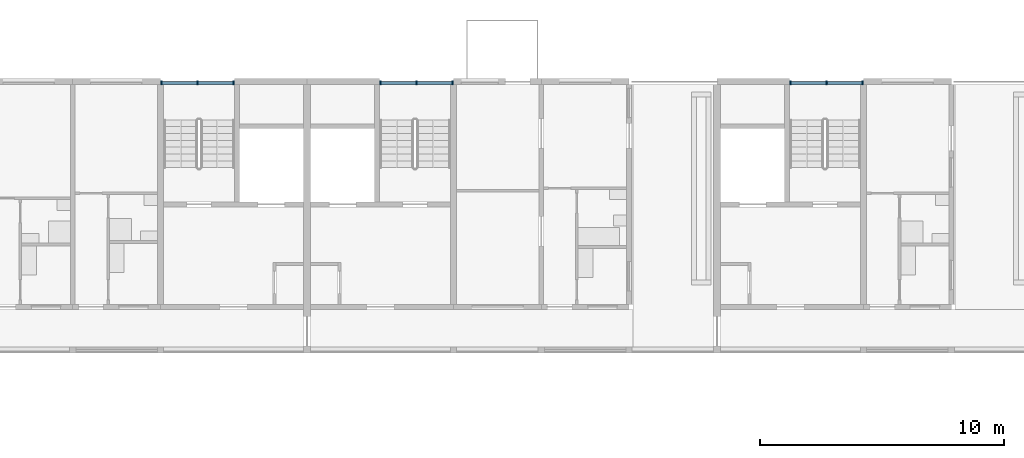
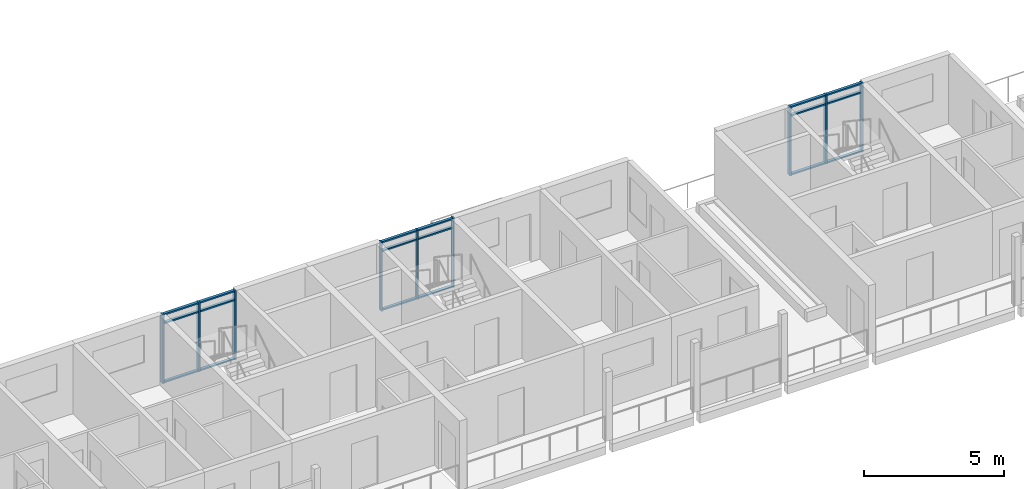
# One storey, part 13 of 94: 27 members, 3 elements without a shape of their own.
"""IFC4 building model written with IfcOpenShell, lengths in metres."""

from ifc_helpers import new_model, si_unit, direction, frame, origin, origin_2d, place, context, subcontext, project, spatial, rectangle, extrude, material, material_profile, profile_set, type_object, element, aggregate, save


model = new_model("IFC4")

# Units and contexts
model_context = context("Model", 3, precision=1e-05, world=origin(), true_north=direction((0.0, 1.0)))
body_context = subcontext(model_context, "Body", "Model", "MODEL_VIEW")
ifc_project = project(units=[si_unit("LENGTHUNIT", "METRE"), si_unit("AREAUNIT", "SQUARE_METRE"), si_unit("VOLUMEUNIT", "CUBIC_METRE"), si_unit("PLANEANGLEUNIT", "RADIAN"), si_unit("MASSUNIT", "GRAM", prefix="KILO")], contexts=[model_context])

# Site, building, storey
site_placement = place(None, origin())
site = spatial("IfcSite", under=ifc_project, at=site_placement, CompositionType="ELEMENT")
building_placement = place(site_placement, origin())
building = spatial("IfcBuilding", under=site, at=building_placement, Name="Ridgestep Commons", CompositionType="ELEMENT")
storey_placement = place(building_placement, frame((0.0, 0.0, 21.0)))
storey = spatial("IfcBuildingStorey", under=building, at=storey_placement, Name="L07", CompositionType="ELEMENT", Elevation=21.0)

# Curtain wall, members
ifc_material_1 = material(Name="Aluminium 6063-T6 and glass", Category="aluminium")
curtain_wall_type = type_object("IfcCurtainWallType", Name="Curtain wall stair strip", PredefinedType="NOTDEFINED", material=ifc_material_1)
curtain_wall_1_placement = place(storey_placement, origin())
curtain_wall_1 = element("IfcCurtainWall", 1, at=curtain_wall_1_placement, inside=storey, type_object=curtain_wall_type, Name="Curtain wall B4C level 07", PredefinedType="NOTDEFINED")
ifc_material_2 = material(Name="Aluminium 6063-T6", Category="aluminium")
ifc_material_profile_1 = material_profile(ifc_material_2, rectangle(XDim=0.159912109375, YDim=0.06005859375, at=origin_2d()), Name="Mullion 60 x 160")
ifc_profile_set_1 = profile_set([ifc_material_profile_1], Name="Aluminium 6063-T6")
member_type_1 = type_object("IfcMemberType", Name="Mullion 60 x 160", PredefinedType="MULLION", material=ifc_profile_set_1)
member_1_placement = place(storey_placement, frame((73.22998046875, 77.080078125, 0.0), z_axis=(0.0, 0.0, 1.0), x_axis=(0.0, 1.0, 0.0)))
member_1 = element("IfcMember", 2, at=member_1_placement, type_object=member_type_1, Name="CW1 mullion 1", PredefinedType="MULLION", context=body_context, shape_type="SweptSolid", body=[
    extrude(rectangle(XDim=0.159912109375, YDim=0.06005859375, at=origin_2d()), origin(), (0.0, 0.0, 1.0), 3.0),
])
member_2_placement = place(storey_placement, frame((74.71240234375, 77.080078125, 0.0), z_axis=(0.0, 0.0, 1.0), x_axis=(0.0, 1.0, 0.0)))
member_2 = element("IfcMember", 3, at=member_2_placement, type_object=member_type_1, Name="CW1 mullion 2", PredefinedType="MULLION", context=body_context, shape_type="SweptSolid", body=[
    extrude(rectangle(XDim=0.159912109375, YDim=0.06005859375, at=origin_2d()), origin(), (0.0, 0.0, 1.0), 3.0),
])
member_3_placement = place(storey_placement, frame((76.195068359375, 77.080078125, 0.0), z_axis=(0.0, 0.0, 1.0), x_axis=(0.0, 1.0, 0.0)))
member_3 = element("IfcMember", 4, at=member_3_placement, type_object=member_type_1, Name="CW1 mullion 3", PredefinedType="MULLION", context=body_context, shape_type="SweptSolid", body=[
    extrude(rectangle(XDim=0.159912109375, YDim=0.06005859375, at=origin_2d()), origin(), (0.0, 0.0, 1.0), 3.0),
])

curtain_wall_2_placement = place(storey_placement, origin())
curtain_wall_2 = element("IfcCurtainWall", 5, at=curtain_wall_2_placement, inside=storey, type_object=curtain_wall_type, Name="Curtain wall B5C level 07", PredefinedType="NOTDEFINED")
member_4_placement = place(storey_placement, frame((82.205078125, 77.080078125, 0.0), z_axis=(0.0, 0.0, 1.0), x_axis=(0.0, 1.0, 0.0)))
member_4 = element("IfcMember", 6, at=member_4_placement, type_object=member_type_1, Name="CW1 mullion 1", PredefinedType="MULLION", context=body_context, shape_type="SweptSolid", body=[
    extrude(rectangle(XDim=0.159912109375, YDim=0.06005859375, at=origin_2d()), origin(), (0.0, 0.0, 1.0), 3.0),
])
member_5_placement = place(storey_placement, frame((83.6875, 77.080078125, 0.0), z_axis=(0.0, 0.0, 1.0), x_axis=(0.0, 1.0, 0.0)))
member_5 = element("IfcMember", 7, at=member_5_placement, type_object=member_type_1, Name="CW1 mullion 2", PredefinedType="MULLION", context=body_context, shape_type="SweptSolid", body=[
    extrude(rectangle(XDim=0.159912109375, YDim=0.06005859375, at=origin_2d()), origin(), (0.0, 0.0, 1.0), 3.0),
])
member_6_placement = place(storey_placement, frame((85.169921875, 77.080078125, 0.0), z_axis=(0.0, 0.0, 1.0), x_axis=(0.0, 1.0, 0.0)))
member_6 = element("IfcMember", 8, at=member_6_placement, type_object=member_type_1, Name="CW1 mullion 3", PredefinedType="MULLION", context=body_context, shape_type="SweptSolid", body=[
    extrude(rectangle(XDim=0.159912109375, YDim=0.06005859375, at=origin_2d()), origin(), (0.0, 0.0, 1.0), 3.0),
])

curtain_wall_3_placement = place(storey_placement, origin())
curtain_wall_3 = element("IfcCurtainWall", 9, at=curtain_wall_3_placement, inside=storey, type_object=curtain_wall_type, Name="Curtain wall B6C level 07", PredefinedType="NOTDEFINED")
member_7_placement = place(storey_placement, frame((99.0048828125, 77.080078125, 0.0), z_axis=(0.0, 0.0, 1.0), x_axis=(0.0, 1.0, 0.0)))
member_7 = element("IfcMember", 10, at=member_7_placement, type_object=member_type_1, Name="CW1 mullion 1", PredefinedType="MULLION", context=body_context, shape_type="SweptSolid", body=[
    extrude(rectangle(XDim=0.159912109375, YDim=0.06005859375, at=origin_2d()), origin(), (0.0, 0.0, 1.0), 3.0),
])
member_8_placement = place(storey_placement, frame((100.487548828125, 77.080078125, 0.0), z_axis=(0.0, 0.0, 1.0), x_axis=(0.0, 1.0, 0.0)))
member_8 = element("IfcMember", 11, at=member_8_placement, type_object=member_type_1, Name="CW1 mullion 2", PredefinedType="MULLION", context=body_context, shape_type="SweptSolid", body=[
    extrude(rectangle(XDim=0.159912109375, YDim=0.06005859375, at=origin_2d()), origin(), (0.0, 0.0, 1.0), 3.0),
])
member_9_placement = place(storey_placement, frame((101.969970703125, 77.080078125, 0.0), z_axis=(0.0, 0.0, 1.0), x_axis=(0.0, 1.0, 0.0)))
member_9 = element("IfcMember", 12, at=member_9_placement, type_object=member_type_1, Name="CW1 mullion 3", PredefinedType="MULLION", context=body_context, shape_type="SweptSolid", body=[
    extrude(rectangle(XDim=0.159912109375, YDim=0.06005859375, at=origin_2d()), origin(), (0.0, 0.0, 1.0), 3.0),
])

# Member
ifc_material_3 = material(Name="Aluminium 6063-T6", Category="aluminium")
ifc_material_profile_2 = material_profile(ifc_material_3, rectangle(XDim=0.1201171875, YDim=0.06005859375, at=origin_2d()), Name="Transom 60 x 120")
ifc_profile_set_2 = profile_set([ifc_material_profile_2], Name="Aluminium 6063-T6")
member_type_2 = type_object("IfcMemberType", Name="Transom 60 x 120", PredefinedType="USERDEFINED", material=ifc_profile_set_2)
member_10_placement = place(storey_placement, frame((73.260009765625, 77.080078125, 0.030029296875), z_axis=(1.0, 0.0, 0.0), x_axis=(0.0, 1.0, 0.0)))
member_10 = element("IfcMember", 13, at=member_10_placement, type_object=member_type_2, Name="CW1 transom 1.1", ObjectType="TRANSOM", PredefinedType="USERDEFINED", context=body_context, shape_type="SweptSolid", body=[
    extrude(rectangle(XDim=0.1201171875, YDim=0.06005859375, at=origin_2d()), origin(), (0.0, 0.0, 1.0), 1.422607421875),
])

member_11_placement = place(storey_placement, frame((73.260009765625, 77.080078125, 2.590087890625), z_axis=(1.0, 0.0, 0.0), x_axis=(0.0, 1.0, 0.0)))
member_11 = element("IfcMember", 14, at=member_11_placement, type_object=member_type_2, Name="CW1 transom 1.2", ObjectType="TRANSOM", PredefinedType="USERDEFINED", context=body_context, shape_type="SweptSolid", body=[
    extrude(rectangle(XDim=0.1201171875, YDim=0.06005859375, at=origin_2d()), origin(), (0.0, 0.0, 1.0), 1.422607421875),
])

member_12_placement = place(storey_placement, frame((73.260009765625, 77.080078125, 2.969970703125), z_axis=(1.0, 0.0, 0.0), x_axis=(0.0, 1.0, 0.0)))
member_12 = element("IfcMember", 15, at=member_12_placement, type_object=member_type_2, Name="CW1 transom 1.3", ObjectType="TRANSOM", PredefinedType="USERDEFINED", context=body_context, shape_type="SweptSolid", body=[
    extrude(rectangle(XDim=0.1201171875, YDim=0.06005859375, at=origin_2d()), origin(), (0.0, 0.0, 1.0), 1.422607421875),
])

member_13_placement = place(storey_placement, frame((74.742431640625, 77.080078125, 0.030029296875), z_axis=(1.0, 0.0, 0.0), x_axis=(0.0, 1.0, 0.0)))
member_13 = element("IfcMember", 16, at=member_13_placement, type_object=member_type_2, Name="CW1 transom 2.1", ObjectType="TRANSOM", PredefinedType="USERDEFINED", context=body_context, shape_type="SweptSolid", body=[
    extrude(rectangle(XDim=0.1201171875, YDim=0.06005859375, at=origin_2d()), origin(), (0.0, 0.0, 1.0), 1.422607421875),
])

member_14_placement = place(storey_placement, frame((74.742431640625, 77.080078125, 2.590087890625), z_axis=(1.0, 0.0, 0.0), x_axis=(0.0, 1.0, 0.0)))
member_14 = element("IfcMember", 17, at=member_14_placement, type_object=member_type_2, Name="CW1 transom 2.2", ObjectType="TRANSOM", PredefinedType="USERDEFINED", context=body_context, shape_type="SweptSolid", body=[
    extrude(rectangle(XDim=0.1201171875, YDim=0.06005859375, at=origin_2d()), origin(), (0.0, 0.0, 1.0), 1.422607421875),
])

member_15_placement = place(storey_placement, frame((74.742431640625, 77.080078125, 2.969970703125), z_axis=(1.0, 0.0, 0.0), x_axis=(0.0, 1.0, 0.0)))
member_15 = element("IfcMember", 18, at=member_15_placement, type_object=member_type_2, Name="CW1 transom 2.3", ObjectType="TRANSOM", PredefinedType="USERDEFINED", context=body_context, shape_type="SweptSolid", body=[
    extrude(rectangle(XDim=0.1201171875, YDim=0.06005859375, at=origin_2d()), origin(), (0.0, 0.0, 1.0), 1.422607421875),
])

aggregate(curtain_wall_1, [member_1, member_2, member_3, member_10, member_11, member_12, member_13, member_14, member_15])

member_16_placement = place(storey_placement, frame((82.235107421875, 77.080078125, 0.030029296875), z_axis=(1.0, 0.0, 0.0), x_axis=(0.0, 1.0, 0.0)))
member_16 = element("IfcMember", 19, at=member_16_placement, type_object=member_type_2, Name="CW1 transom 1.1", ObjectType="TRANSOM", PredefinedType="USERDEFINED", context=body_context, shape_type="SweptSolid", body=[
    extrude(rectangle(XDim=0.1201171875, YDim=0.06005859375, at=origin_2d()), origin(), (0.0, 0.0, 1.0), 1.42236328125),
])

member_17_placement = place(storey_placement, frame((82.235107421875, 77.080078125, 2.590087890625), z_axis=(1.0, 0.0, 0.0), x_axis=(0.0, 1.0, 0.0)))
member_17 = element("IfcMember", 20, at=member_17_placement, type_object=member_type_2, Name="CW1 transom 1.2", ObjectType="TRANSOM", PredefinedType="USERDEFINED", context=body_context, shape_type="SweptSolid", body=[
    extrude(rectangle(XDim=0.1201171875, YDim=0.06005859375, at=origin_2d()), origin(), (0.0, 0.0, 1.0), 1.42236328125),
])

member_18_placement = place(storey_placement, frame((82.235107421875, 77.080078125, 2.969970703125), z_axis=(1.0, 0.0, 0.0), x_axis=(0.0, 1.0, 0.0)))
member_18 = element("IfcMember", 21, at=member_18_placement, type_object=member_type_2, Name="CW1 transom 1.3", ObjectType="TRANSOM", PredefinedType="USERDEFINED", context=body_context, shape_type="SweptSolid", body=[
    extrude(rectangle(XDim=0.1201171875, YDim=0.06005859375, at=origin_2d()), origin(), (0.0, 0.0, 1.0), 1.42236328125),
])

member_19_placement = place(storey_placement, frame((83.717529296875, 77.080078125, 0.030029296875), z_axis=(1.0, 0.0, 0.0), x_axis=(0.0, 1.0, 0.0)))
member_19 = element("IfcMember", 22, at=member_19_placement, type_object=member_type_2, Name="CW1 transom 2.1", ObjectType="TRANSOM", PredefinedType="USERDEFINED", context=body_context, shape_type="SweptSolid", body=[
    extrude(rectangle(XDim=0.1201171875, YDim=0.06005859375, at=origin_2d()), origin(), (0.0, 0.0, 1.0), 1.42236328125),
])

member_20_placement = place(storey_placement, frame((83.717529296875, 77.080078125, 2.590087890625), z_axis=(1.0, 0.0, 0.0), x_axis=(0.0, 1.0, 0.0)))
member_20 = element("IfcMember", 23, at=member_20_placement, type_object=member_type_2, Name="CW1 transom 2.2", ObjectType="TRANSOM", PredefinedType="USERDEFINED", context=body_context, shape_type="SweptSolid", body=[
    extrude(rectangle(XDim=0.1201171875, YDim=0.06005859375, at=origin_2d()), origin(), (0.0, 0.0, 1.0), 1.42236328125),
])

member_21_placement = place(storey_placement, frame((83.717529296875, 77.080078125, 2.969970703125), z_axis=(1.0, 0.0, 0.0), x_axis=(0.0, 1.0, 0.0)))
member_21 = element("IfcMember", 24, at=member_21_placement, type_object=member_type_2, Name="CW1 transom 2.3", ObjectType="TRANSOM", PredefinedType="USERDEFINED", context=body_context, shape_type="SweptSolid", body=[
    extrude(rectangle(XDim=0.1201171875, YDim=0.06005859375, at=origin_2d()), origin(), (0.0, 0.0, 1.0), 1.42236328125),
])

aggregate(curtain_wall_2, [member_4, member_5, member_6, member_16, member_17, member_18, member_19, member_20, member_21])

member_22_placement = place(storey_placement, frame((99.034912109375, 77.080078125, 0.030029296875), z_axis=(1.0, 0.0, 0.0), x_axis=(0.0, 1.0, 0.0)))
member_22 = element("IfcMember", 25, at=member_22_placement, type_object=member_type_2, Name="CW1 transom 1.1", ObjectType="TRANSOM", PredefinedType="USERDEFINED", context=body_context, shape_type="SweptSolid", body=[
    extrude(rectangle(XDim=0.1201171875, YDim=0.06005859375, at=origin_2d()), origin(), (0.0, 0.0, 1.0), 1.422607421875),
])

member_23_placement = place(storey_placement, frame((99.034912109375, 77.080078125, 2.590087890625), z_axis=(1.0, 0.0, 0.0), x_axis=(0.0, 1.0, 0.0)))
member_23 = element("IfcMember", 26, at=member_23_placement, type_object=member_type_2, Name="CW1 transom 1.2", ObjectType="TRANSOM", PredefinedType="USERDEFINED", context=body_context, shape_type="SweptSolid", body=[
    extrude(rectangle(XDim=0.1201171875, YDim=0.06005859375, at=origin_2d()), origin(), (0.0, 0.0, 1.0), 1.422607421875),
])

member_24_placement = place(storey_placement, frame((99.034912109375, 77.080078125, 2.969970703125), z_axis=(1.0, 0.0, 0.0), x_axis=(0.0, 1.0, 0.0)))
member_24 = element("IfcMember", 27, at=member_24_placement, type_object=member_type_2, Name="CW1 transom 1.3", ObjectType="TRANSOM", PredefinedType="USERDEFINED", context=body_context, shape_type="SweptSolid", body=[
    extrude(rectangle(XDim=0.1201171875, YDim=0.06005859375, at=origin_2d()), origin(), (0.0, 0.0, 1.0), 1.422607421875),
])

member_25_placement = place(storey_placement, frame((100.517578125, 77.080078125, 0.030029296875), z_axis=(1.0, 0.0, 0.0), x_axis=(0.0, 1.0, 0.0)))
member_25 = element("IfcMember", 28, at=member_25_placement, type_object=member_type_2, Name="CW1 transom 2.1", ObjectType="TRANSOM", PredefinedType="USERDEFINED", context=body_context, shape_type="SweptSolid", body=[
    extrude(rectangle(XDim=0.1201171875, YDim=0.06005859375, at=origin_2d()), origin(), (0.0, 0.0, 1.0), 1.42236328125),
])

member_26_placement = place(storey_placement, frame((100.517578125, 77.080078125, 2.590087890625), z_axis=(1.0, 0.0, 0.0), x_axis=(0.0, 1.0, 0.0)))
member_26 = element("IfcMember", 29, at=member_26_placement, type_object=member_type_2, Name="CW1 transom 2.2", ObjectType="TRANSOM", PredefinedType="USERDEFINED", context=body_context, shape_type="SweptSolid", body=[
    extrude(rectangle(XDim=0.1201171875, YDim=0.06005859375, at=origin_2d()), origin(), (0.0, 0.0, 1.0), 1.42236328125),
])

member_27_placement = place(storey_placement, frame((100.517578125, 77.080078125, 2.969970703125), z_axis=(1.0, 0.0, 0.0), x_axis=(0.0, 1.0, 0.0)))
member_27 = element("IfcMember", 30, at=member_27_placement, type_object=member_type_2, Name="CW1 transom 2.3", ObjectType="TRANSOM", PredefinedType="USERDEFINED", context=body_context, shape_type="SweptSolid", body=[
    extrude(rectangle(XDim=0.1201171875, YDim=0.06005859375, at=origin_2d()), origin(), (0.0, 0.0, 1.0), 1.42236328125),
])

aggregate(curtain_wall_3, [member_7, member_8, member_9, member_22, member_23, member_24, member_25, member_26, member_27])

save(model, "model.ifc")
